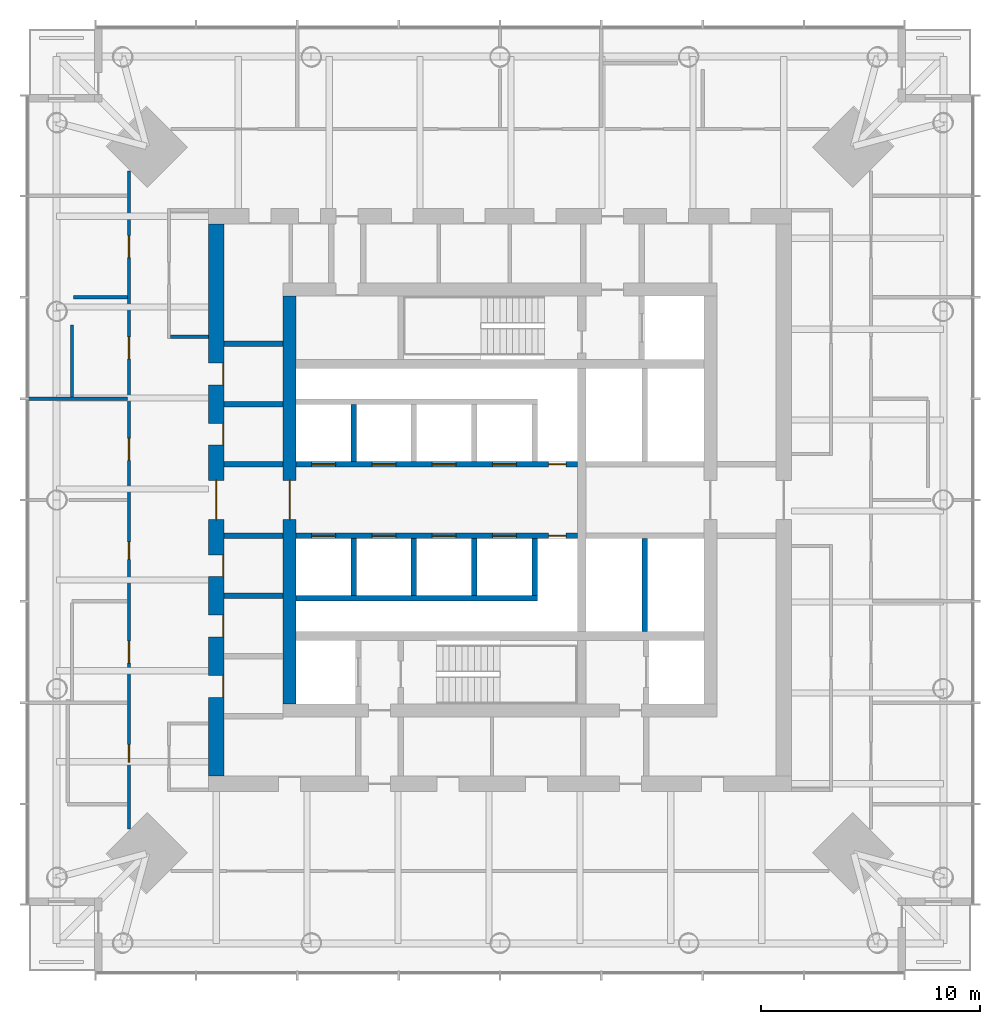
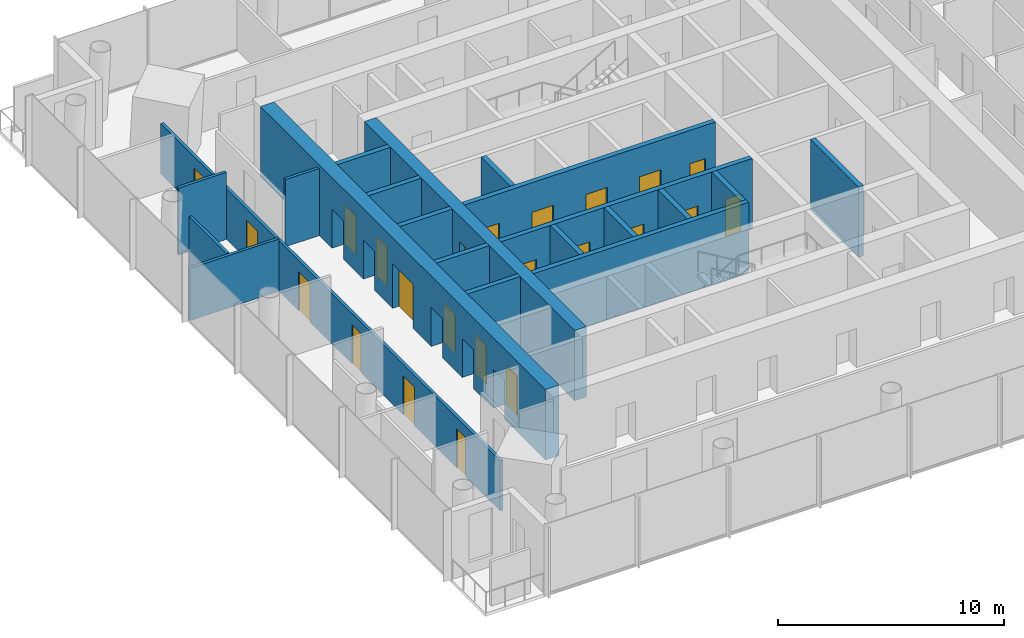
# One storey, part 5 of 9: 23 doors, 21 walls, 23 openings.
"""IFC4 building model written with IfcOpenShell, lengths in metres."""

from ifc_helpers import new_model, si_unit, direction, frame, frame_2d, origin, place, context, subcontext, project, spatial, rectangle, extrude, material, layer, layer_set, type_object, element, fill, save


model = new_model("IFC4")

# Units and contexts
model_context = context("Model", 3, precision=1e-05, world=origin(), true_north=direction((0.0, 1.0)))
body_context = subcontext(model_context, "Body", "Model", "MODEL_VIEW")
ifc_project = project(units=[si_unit("LENGTHUNIT", "METRE"), si_unit("AREAUNIT", "SQUARE_METRE"), si_unit("VOLUMEUNIT", "CUBIC_METRE"), si_unit("PLANEANGLEUNIT", "RADIAN"), si_unit("MASSUNIT", "GRAM", prefix="KILO")], contexts=[model_context])

# Site, building, storey
site_placement = place(None, origin())
site = spatial("IfcSite", under=ifc_project, at=site_placement, CompositionType="ELEMENT")
building_placement = place(site_placement, origin())
building = spatial("IfcBuilding", under=site, at=building_placement, Name="Ostroluk Exchange", CompositionType="ELEMENT")
storey_placement = place(building_placement, frame((0.0, 0.0, 138.800048828125)))
storey = spatial("IfcBuildingStorey", under=building, at=storey_placement, Name="L35", CompositionType="ELEMENT", Elevation=138.800048828125)

# Wall
ifc_material_1 = material(Name="Concrete C40/50", Category="concrete")
ifc_layer_1 = layer(ifc_material_1, 0.25)
ifc_layer_set_1 = layer_set([ifc_layer_1], Name="Core shaft wall 250")
wall_type_1 = type_object("IfcWallType", Name="Core shaft wall 250", PredefinedType="SHEAR", material=ifc_layer_set_1)
wall_1_placement = place(storey_placement, frame((38.324951171875, 47.75, 0.0), z_axis=(0.0, 0.0, 1.0), x_axis=(0.0, 1.0, 0.0)))
element("IfcWall", 1, at=wall_1_placement, inside=storey, type_object=wall_type_1, Name="Lift shaft wall", PredefinedType="SHEAR", context=body_context, shape_type="SweptSolid", body=[
    extrude(rectangle(XDim=2.60009765625, YDim=0.25, at=frame_2d((1.300048828125, 0.0))), origin(), (0.0, 0.0, 1.0), 3.800048828125),
])

# Wall, openings, doors
wall_2_placement = place(storey_placement, frame((35.699951171875, 47.625, 0.0), z_axis=(0.0, 0.0, 1.0), x_axis=(1.0, 0.0, 0.0)))
wall_2 = element("IfcWall", 2, at=wall_2_placement, inside=storey, type_object=wall_type_1, Name="Lift shaft front wall", PredefinedType="SHEAR", context=body_context, shape_type="SweptSolid", body=[
    extrude(rectangle(XDim=12.830078125, YDim=0.25, at=frame_2d((6.4150390625, 0.0))), origin(), (0.0, 0.0, 1.0), 3.800048828125),
])
opening_1_placement = place(wall_2_placement, frame((0.699951171875, 0.0, 0.0)))
opening_1 = element("IfcOpeningElement", 3, at=opening_1_placement, cuts=wall_2, Name="Opening LD", PredefinedType="OPENING", context=body_context, shape_type="SweptSolid", body=[
    extrude(rectangle(XDim=1.10009765625, YDim=2.199951171875, at=frame_2d((0.550048828125, 1.10009765625))), frame((0.0, 0.135009765625, 0.0), z_axis=(0.0, -1.0, 0.0), x_axis=(1.0, 0.0, 0.0)), (0.0, 0.0, 1.0), 0.27001953125),
])
opening_2_placement = place(wall_2_placement, frame((3.449951171875, 0.0, 0.0)))
opening_2 = element("IfcOpeningElement", 4, at=opening_2_placement, cuts=wall_2, Name="Opening LD", PredefinedType="OPENING", context=body_context, shape_type="SweptSolid", body=[
    extrude(rectangle(XDim=1.10009765625, YDim=2.199951171875, at=frame_2d((0.550048828125, 1.10009765625))), frame((0.0, 0.135009765625, 0.0), z_axis=(0.0, -1.0, 0.0), x_axis=(1.0, 0.0, 0.0)), (0.0, 0.0, 1.0), 0.27001953125),
])
opening_3_placement = place(wall_2_placement, frame((6.199951171875, 0.0, 0.0)))
opening_3 = element("IfcOpeningElement", 5, at=opening_3_placement, cuts=wall_2, Name="Opening LD", PredefinedType="OPENING", context=body_context, shape_type="SweptSolid", body=[
    extrude(rectangle(XDim=1.10009765625, YDim=2.199951171875, at=frame_2d((0.550048828125, 1.10009765625))), frame((0.0, 0.135009765625, 0.0), z_axis=(0.0, -1.0, 0.0), x_axis=(1.0, 0.0, 0.0)), (0.0, 0.0, 1.0), 0.27001953125),
])
opening_4_placement = place(wall_2_placement, frame((8.949951171875, 0.0, 0.0)))
opening_4 = element("IfcOpeningElement", 6, at=opening_4_placement, cuts=wall_2, Name="Opening LD", PredefinedType="OPENING", context=body_context, shape_type="SweptSolid", body=[
    extrude(rectangle(XDim=1.10009765625, YDim=2.199951171875, at=frame_2d((0.550048828125, 1.10009765625))), frame((0.0, 0.135009765625, 0.0), z_axis=(0.0, -1.0, 0.0), x_axis=(1.0, 0.0, 0.0)), (0.0, 0.0, 1.0), 0.27001953125),
])
opening_5_placement = place(wall_2_placement, frame((11.514892578125, 0.0, 0.0)))
opening_5 = element("IfcOpeningElement", 7, at=opening_5_placement, cuts=wall_2, Name="Opening RD60", PredefinedType="OPENING", context=body_context, shape_type="SweptSolid", body=[
    extrude(rectangle(XDim=0.800048828125, YDim=2.0, at=frame_2d((0.39990234375, 1.0))), frame((0.0, 0.135009765625, 0.0), z_axis=(0.0, -1.0, 0.0), x_axis=(1.0, 0.0, 0.0)), (0.0, 0.0, 1.0), 0.27001953125),
])
ifc_material_2 = material(Name="Stainless steel", Category="steel")
door_type_1 = type_object("IfcDoorType", Name="Lift landing door E 60 1100 x 2200", OperationType="DOUBLE_DOOR_SLIDING", PredefinedType="DOOR", material=ifc_material_2)
door_1_placement = place(opening_1_placement, origin())
door_1 = element("IfcDoor", 8, at=door_1_placement, inside=storey, type_object=door_type_1, Name="Lift PL-M1 landing door", OperationType="DOUBLE_DOOR_SLIDING", OverallHeight=2.199951171875, OverallWidth=1.10009765625, PredefinedType="DOOR", context=body_context, shape_type="SweptSolid", body=[
    extrude(rectangle(XDim=1.10009765625, YDim=2.199951171875, at=frame_2d((0.550048828125, 1.10009765625))), frame((0.0, 0.02490234375, 0.0), z_axis=(0.0, -1.0, 0.0), x_axis=(1.0, 0.0, 0.0)), (0.0, 0.0, 1.0), 0.050048828125),
])
fill(opening_1, door_1)
door_2_placement = place(opening_2_placement, origin())
door_2 = element("IfcDoor", 9, at=door_2_placement, inside=storey, type_object=door_type_1, Name="Lift PL-M2 landing door", OperationType="DOUBLE_DOOR_SLIDING", OverallHeight=2.199951171875, OverallWidth=1.10009765625, PredefinedType="DOOR", context=body_context, shape_type="SweptSolid", body=[
    extrude(rectangle(XDim=1.10009765625, YDim=2.199951171875, at=frame_2d((0.550048828125, 1.10009765625))), frame((0.0, 0.02490234375, 0.0), z_axis=(0.0, -1.0, 0.0), x_axis=(1.0, 0.0, 0.0)), (0.0, 0.0, 1.0), 0.050048828125),
])
fill(opening_2, door_2)
door_3_placement = place(opening_3_placement, origin())
door_3 = element("IfcDoor", 10, at=door_3_placement, inside=storey, type_object=door_type_1, Name="Lift PL-M3 landing door", OperationType="DOUBLE_DOOR_SLIDING", OverallHeight=2.199951171875, OverallWidth=1.10009765625, PredefinedType="DOOR", context=body_context, shape_type="SweptSolid", body=[
    extrude(rectangle(XDim=1.10009765625, YDim=2.199951171875, at=frame_2d((0.550048828125, 1.10009765625))), frame((0.0, 0.02490234375, 0.0), z_axis=(0.0, -1.0, 0.0), x_axis=(1.0, 0.0, 0.0)), (0.0, 0.0, 1.0), 0.050048828125),
])
fill(opening_3, door_3)
door_4_placement = place(opening_4_placement, origin())
door_4 = element("IfcDoor", 11, at=door_4_placement, inside=storey, type_object=door_type_1, Name="Lift PL-M4 landing door", OperationType="DOUBLE_DOOR_SLIDING", OverallHeight=2.199951171875, OverallWidth=1.10009765625, PredefinedType="DOOR", context=body_context, shape_type="SweptSolid", body=[
    extrude(rectangle(XDim=1.10009765625, YDim=2.199951171875, at=frame_2d((0.550048828125, 1.10009765625))), frame((0.0, 0.02490234375, 0.0), z_axis=(0.0, -1.0, 0.0), x_axis=(1.0, 0.0, 0.0)), (0.0, 0.0, 1.0), 0.050048828125),
])
fill(opening_4, door_4)
ifc_material_3 = material(Name="Steel", Category="steel")
door_type_2 = type_object("IfcDoorType", Name="Riser access door EI 60 800 x 2000", OperationType="SINGLE_SWING_LEFT", PredefinedType="DOOR", material=ifc_material_3)
door_5_placement = place(opening_5_placement, origin())
door_5 = element("IfcDoor", 12, at=door_5_placement, inside=storey, type_object=door_type_2, Name="Riser access door", OperationType="SINGLE_SWING_RIGHT", OverallHeight=2.0, OverallWidth=0.800048828125, PredefinedType="DOOR", context=body_context, shape_type="SweptSolid", body=[
    extrude(rectangle(XDim=0.800048828125, YDim=2.0, at=frame_2d((0.39990234375, 1.0))), frame((0.0, 0.02490234375, 0.0), z_axis=(0.0, -1.0, 0.0), x_axis=(1.0, 0.0, 0.0)), (0.0, 0.0, 1.0), 0.050048828125),
])
fill(opening_5, door_5)

# Walls
for number, where, z_axis, x_axis, name in (
    (13, (38.324951171875, 44.25, 0.0), (0.0, 0.0, 1.0), (0.0, -1.0, 0.0), "Lift shaft wall"),
    (14, (41.074951171875, 44.25, 0.0), (0.0, 0.0, 1.0), (0.0, -1.0, 0.0), "Lift shaft wall"),
    (15, (43.824951171875, 44.25, 0.0), (0.0, 0.0, 1.0), (0.0, -1.0, 0.0), "Lift shaft wall"),
    (16, (46.574951171875, 44.25, 0.0), (0.0, 0.0, 1.0), (0.0, -1.0, 0.0), "Lift shaft wall"),
):
    element("IfcWall", number, at=place(storey_placement, frame(where, z_axis=z_axis, x_axis=x_axis)), inside=storey, type_object=wall_type_1, Name=name, PredefinedType="SHEAR", context=body_context, shape_type="SweptSolid", body=[
        extrude(rectangle(XDim=2.60009765625, YDim=0.25, at=frame_2d((1.300048828125, 0.0))), origin(), (0.0, 0.0, 1.0), 3.800048828125),
    ])
wall_3_placement = place(storey_placement, frame((35.699951171875, 41.52490234375, 0.0), z_axis=(0.0, 0.0, 1.0), x_axis=(1.0, 0.0, 0.0)))
element("IfcWall", 17, at=wall_3_placement, inside=storey, type_object=wall_type_1, Name="Lift shaft wall", PredefinedType="SHEAR", context=body_context, shape_type="SweptSolid", body=[
    extrude(rectangle(XDim=11.0, YDim=0.25, at=frame_2d((5.5, 0.0))), origin(), (0.0, 0.0, 1.0), 3.800048828125),
])

# Wall, openings, doors
wall_4_placement = place(storey_placement, frame((35.699951171875, 44.375, 0.0), z_axis=(0.0, 0.0, 1.0), x_axis=(1.0, 0.0, 0.0)))
wall_4 = element("IfcWall", 18, at=wall_4_placement, inside=storey, type_object=wall_type_1, Name="Lift shaft front wall", PredefinedType="SHEAR", context=body_context, shape_type="SweptSolid", body=[
    extrude(rectangle(XDim=12.830078125, YDim=0.25, at=frame_2d((6.4150390625, 0.0))), origin(), (0.0, 0.0, 1.0), 3.800048828125),
])
opening_6_placement = place(wall_4_placement, frame((0.699951171875, 0.0, 0.0)))
opening_6 = element("IfcOpeningElement", 19, at=opening_6_placement, cuts=wall_4, Name="Opening LD", PredefinedType="OPENING", context=body_context, shape_type="SweptSolid", body=[
    extrude(rectangle(XDim=1.10009765625, YDim=2.199951171875, at=frame_2d((0.550048828125, 1.10009765625))), frame((0.0, 0.135009765625, 0.0), z_axis=(0.0, -1.0, 0.0), x_axis=(1.0, 0.0, 0.0)), (0.0, 0.0, 1.0), 0.27001953125),
])
opening_7_placement = place(wall_4_placement, frame((3.449951171875, 0.0, 0.0)))
opening_7 = element("IfcOpeningElement", 20, at=opening_7_placement, cuts=wall_4, Name="Opening LD", PredefinedType="OPENING", context=body_context, shape_type="SweptSolid", body=[
    extrude(rectangle(XDim=1.10009765625, YDim=2.199951171875, at=frame_2d((0.550048828125, 1.10009765625))), frame((0.0, 0.135009765625, 0.0), z_axis=(0.0, -1.0, 0.0), x_axis=(1.0, 0.0, 0.0)), (0.0, 0.0, 1.0), 0.27001953125),
])
opening_8_placement = place(wall_4_placement, frame((6.199951171875, 0.0, 0.0)))
opening_8 = element("IfcOpeningElement", 21, at=opening_8_placement, cuts=wall_4, Name="Opening LD", PredefinedType="OPENING", context=body_context, shape_type="SweptSolid", body=[
    extrude(rectangle(XDim=1.10009765625, YDim=2.199951171875, at=frame_2d((0.550048828125, 1.10009765625))), frame((0.0, 0.135009765625, 0.0), z_axis=(0.0, -1.0, 0.0), x_axis=(1.0, 0.0, 0.0)), (0.0, 0.0, 1.0), 0.27001953125),
])
opening_9_placement = place(wall_4_placement, frame((8.949951171875, 0.0, 0.0)))
opening_9 = element("IfcOpeningElement", 22, at=opening_9_placement, cuts=wall_4, Name="Opening LD", PredefinedType="OPENING", context=body_context, shape_type="SweptSolid", body=[
    extrude(rectangle(XDim=1.10009765625, YDim=2.199951171875, at=frame_2d((0.550048828125, 1.10009765625))), frame((0.0, 0.135009765625, 0.0), z_axis=(0.0, -1.0, 0.0), x_axis=(1.0, 0.0, 0.0)), (0.0, 0.0, 1.0), 0.27001953125),
])
opening_10_placement = place(wall_4_placement, frame((11.514892578125, 0.0, 0.0)))
opening_10 = element("IfcOpeningElement", 23, at=opening_10_placement, cuts=wall_4, Name="Opening RD60", PredefinedType="OPENING", context=body_context, shape_type="SweptSolid", body=[
    extrude(rectangle(XDim=0.800048828125, YDim=2.0, at=frame_2d((0.39990234375, 1.0))), frame((0.0, 0.135009765625, 0.0), z_axis=(0.0, -1.0, 0.0), x_axis=(1.0, 0.0, 0.0)), (0.0, 0.0, 1.0), 0.27001953125),
])
door_6_placement = place(opening_6_placement, origin())
door_6 = element("IfcDoor", 24, at=door_6_placement, inside=storey, type_object=door_type_1, Name="Lift PL-M5 landing door", OperationType="DOUBLE_DOOR_SLIDING", OverallHeight=2.199951171875, OverallWidth=1.10009765625, PredefinedType="DOOR", context=body_context, shape_type="SweptSolid", body=[
    extrude(rectangle(XDim=1.10009765625, YDim=2.199951171875, at=frame_2d((0.550048828125, 1.10009765625))), frame((0.0, 0.02490234375, 0.0), z_axis=(0.0, -1.0, 0.0), x_axis=(1.0, 0.0, 0.0)), (0.0, 0.0, 1.0), 0.050048828125),
])
fill(opening_6, door_6)
door_7_placement = place(opening_7_placement, origin())
door_7 = element("IfcDoor", 25, at=door_7_placement, inside=storey, type_object=door_type_1, Name="Lift PL-M6 landing door", OperationType="DOUBLE_DOOR_SLIDING", OverallHeight=2.199951171875, OverallWidth=1.10009765625, PredefinedType="DOOR", context=body_context, shape_type="SweptSolid", body=[
    extrude(rectangle(XDim=1.10009765625, YDim=2.199951171875, at=frame_2d((0.550048828125, 1.10009765625))), frame((0.0, 0.02490234375, 0.0), z_axis=(0.0, -1.0, 0.0), x_axis=(1.0, 0.0, 0.0)), (0.0, 0.0, 1.0), 0.050048828125),
])
fill(opening_7, door_7)
door_8_placement = place(opening_8_placement, origin())
door_8 = element("IfcDoor", 26, at=door_8_placement, inside=storey, type_object=door_type_1, Name="Lift PL-M7 landing door", OperationType="DOUBLE_DOOR_SLIDING", OverallHeight=2.199951171875, OverallWidth=1.10009765625, PredefinedType="DOOR", context=body_context, shape_type="SweptSolid", body=[
    extrude(rectangle(XDim=1.10009765625, YDim=2.199951171875, at=frame_2d((0.550048828125, 1.10009765625))), frame((0.0, 0.02490234375, 0.0), z_axis=(0.0, -1.0, 0.0), x_axis=(1.0, 0.0, 0.0)), (0.0, 0.0, 1.0), 0.050048828125),
])
fill(opening_8, door_8)
door_9_placement = place(opening_9_placement, origin())
door_9 = element("IfcDoor", 27, at=door_9_placement, inside=storey, type_object=door_type_1, Name="Lift PL-M8 landing door", OperationType="DOUBLE_DOOR_SLIDING", OverallHeight=2.199951171875, OverallWidth=1.10009765625, PredefinedType="DOOR", context=body_context, shape_type="SweptSolid", body=[
    extrude(rectangle(XDim=1.10009765625, YDim=2.199951171875, at=frame_2d((0.550048828125, 1.10009765625))), frame((0.0, 0.02490234375, 0.0), z_axis=(0.0, -1.0, 0.0), x_axis=(1.0, 0.0, 0.0)), (0.0, 0.0, 1.0), 0.050048828125),
])
fill(opening_9, door_9)
door_10_placement = place(opening_10_placement, origin())
door_10 = element("IfcDoor", 28, at=door_10_placement, inside=storey, type_object=door_type_2, Name="Riser access door", OperationType="SINGLE_SWING_RIGHT", OverallHeight=2.0, OverallWidth=0.800048828125, PredefinedType="DOOR", context=body_context, shape_type="SweptSolid", body=[
    extrude(rectangle(XDim=0.800048828125, YDim=2.0, at=frame_2d((0.39990234375, 1.0))), frame((0.0, 0.02490234375, 0.0), z_axis=(0.0, -1.0, 0.0), x_axis=(1.0, 0.0, 0.0)), (0.0, 0.0, 1.0), 0.050048828125),
])
fill(opening_10, door_10)

# Walls
wall_5_placement = place(storey_placement, frame((51.614990234375, 44.25, 0.0), z_axis=(0.0, 0.0, 1.0), x_axis=(0.0, -1.0, 0.0)))
element("IfcWall", 29, at=wall_5_placement, inside=storey, type_object=wall_type_1, Name="Lift shaft wall", PredefinedType="SHEAR", context=body_context, shape_type="SweptSolid", body=[
    extrude(rectangle(XDim=4.25, YDim=0.25, at=frame_2d((2.125, 0.0))), origin(), (0.0, 0.0, 1.0), 3.800048828125),
])
for number, where, z_axis, x_axis, name in (
    (30, (32.39990234375, 41.625, 0.0), (0.0, 0.0, 1.0), (1.0, 0.0, 0.0), "Lift shaft wall"),
    (31, (32.39990234375, 44.375, 0.0), (0.0, 0.0, 1.0), (1.0, 0.0, 0.0), "Lift shaft wall"),
    (32, (32.39990234375, 47.625, 0.0), (0.0, 0.0, 1.0), (1.0, 0.0, 0.0), "Lift shaft wall"),
    (33, (32.39990234375, 50.375, 0.0), (0.0, 0.0, 1.0), (1.0, 0.0, 0.0), "Lift shaft wall"),
    (34, (32.39990234375, 53.125, 0.0), (0.0, 0.0, 1.0), (1.0, 0.0, 0.0), "Lift shaft wall"),
):
    element("IfcWall", number, at=place(storey_placement, frame(where, z_axis=z_axis, x_axis=x_axis)), inside=storey, type_object=wall_type_1, Name=name, PredefinedType="SHEAR", context=body_context, shape_type="SweptSolid", body=[
        extrude(rectangle(XDim=2.7001953125, YDim=0.25, at=frame_2d((1.35009765625, 0.0))), origin(), (0.0, 0.0, 1.0), 3.800048828125),
    ])

# Wall, opening, door
ifc_material_4 = material(Name="Concrete C50/60", Category="concrete")
ifc_layer_2 = layer(ifc_material_4, 0.60009765625)
ifc_layer_set_2 = layer_set([ifc_layer_2], Name="Core wall 600 C50/60")
wall_type_2 = type_object("IfcWallType", Name="Core wall 600 C50/60", PredefinedType="SHEAR", material=ifc_layer_set_2)
wall_6_placement = place(storey_placement, frame((35.39990234375, 36.699951171875, 0.0), z_axis=(0.0, 0.0, 1.0), x_axis=(0.0, 1.0, 0.0)))
wall_6 = element("IfcWall", 35, at=wall_6_placement, inside=storey, type_object=wall_type_2, Name="T1 core wall W", PredefinedType="SHEAR", context=body_context, shape_type="SweptSolid", body=[
    extrude(rectangle(XDim=18.60009765625, YDim=0.60009765625, at=frame_2d((9.300048828125, 0.0))), origin(), (0.0, 0.0, 1.0), 3.800048828125),
])
opening_11_placement = place(wall_6_placement, frame((8.39990234375, 0.0, 0.0)))
opening_11 = element("IfcOpeningElement", 36, at=opening_11_placement, cuts=wall_6, Name="Opening FD30D", PredefinedType="OPENING", context=body_context, shape_type="SweptSolid", body=[
    extrude(rectangle(XDim=1.800048828125, YDim=2.39990234375, at=frame_2d((0.89990234375, 1.199951171875))), frame((0.0, 0.31005859375, 0.0), z_axis=(0.0, -1.0, 0.0), x_axis=(1.0, 0.0, 0.0)), (0.0, 0.0, 1.0), 0.6201171875),
])
ifc_material_5 = material(Name="Timber", Category="wood")
door_type_3 = type_object("IfcDoorType", Name="Lobby double door EI 30 1800 x 2400", OperationType="DOUBLE_DOOR_SINGLE_SWING", PredefinedType="DOOR", material=ifc_material_5)
door_11_placement = place(opening_11_placement, origin())
door_11 = element("IfcDoor", 37, at=door_11_placement, inside=storey, type_object=door_type_3, Name="Lift lobby doors", OperationType="DOUBLE_DOOR_SINGLE_SWING", OverallHeight=2.39990234375, OverallWidth=1.800048828125, PredefinedType="DOOR", context=body_context, shape_type="SweptSolid", body=[
    extrude(rectangle(XDim=1.800048828125, YDim=2.39990234375, at=frame_2d((0.89990234375, 1.199951171875))), frame((0.0, 0.02490234375, 0.0), z_axis=(0.0, -1.0, 0.0), x_axis=(1.0, 0.0, 0.0)), (0.0, 0.0, 1.0), 0.050048828125),
])
fill(opening_11, door_11)

# Wall, openings, doors
ifc_material_6 = material(Name="Concrete C50/60", Category="concrete")
ifc_layer_3 = layer(ifc_material_6, 0.699951171875)
ifc_layer_set_3 = layer_set([ifc_layer_3], Name="Core wall 700 C50/60")
wall_type_3 = type_object("IfcWallType", Name="Core wall 700 C50/60", PredefinedType="SHEAR", material=ifc_layer_set_3)
wall_7_placement = place(storey_placement, frame((32.050048828125, 33.39990234375, 0.0), z_axis=(0.0, 0.0, 1.0), x_axis=(0.0, 1.0, 0.0)))
wall_7 = element("IfcWall", 38, at=wall_7_placement, inside=storey, type_object=wall_type_3, Name="T1 core wall RW", PredefinedType="SHEAR", context=body_context, shape_type="SweptSolid", body=[
    extrude(rectangle(XDim=25.2001953125, YDim=0.699951171875, at=frame_2d((12.60009765625, 0.0))), origin(), (0.0, 0.0, 1.0), 3.800048828125),
])
opening_12_placement = place(wall_7_placement, frame((11.699951171875, 0.0, 0.0)))
opening_12 = element("IfcOpeningElement", 39, at=opening_12_placement, cuts=wall_7, Name="Opening FD30D", PredefinedType="OPENING", context=body_context, shape_type="SweptSolid", body=[
    extrude(rectangle(XDim=1.800048828125, YDim=2.39990234375, at=frame_2d((0.89990234375, 1.199951171875))), frame((0.0, 0.35986328125, 0.0), z_axis=(0.0, -1.0, 0.0), x_axis=(1.0, 0.0, 0.0)), (0.0, 0.0, 1.0), 0.719970703125),
])
opening_13_placement = place(wall_7_placement, frame((3.60009765625, 0.0, 0.0)))
opening_13 = element("IfcOpeningElement", 40, at=opening_13_placement, cuts=wall_7, Name="Opening FD60", PredefinedType="OPENING", context=body_context, shape_type="SweptSolid", body=[
    extrude(rectangle(XDim=1.0, YDim=2.10009765625, at=frame_2d((0.5, 1.050048828125))), frame((0.0, 0.35986328125, 0.0), z_axis=(0.0, -1.0, 0.0), x_axis=(1.0, 0.0, 0.0)), (0.0, 0.0, 1.0), 0.719970703125),
])
opening_14_placement = place(wall_7_placement, frame((6.35009765625, 0.0, 0.0)))
opening_14 = element("IfcOpeningElement", 41, at=opening_14_placement, cuts=wall_7, Name="Opening FD60", PredefinedType="OPENING", context=body_context, shape_type="SweptSolid", body=[
    extrude(rectangle(XDim=1.0, YDim=2.10009765625, at=frame_2d((0.5, 1.050048828125))), frame((0.0, 0.35986328125, 0.0), z_axis=(0.0, -1.0, 0.0), x_axis=(1.0, 0.0, 0.0)), (0.0, 0.0, 1.0), 0.719970703125),
])
opening_15_placement = place(wall_7_placement, frame((9.10009765625, 0.0, 0.0)))
opening_15 = element("IfcOpeningElement", 42, at=opening_15_placement, cuts=wall_7, Name="Opening FD60", PredefinedType="OPENING", context=body_context, shape_type="SweptSolid", body=[
    extrude(rectangle(XDim=1.0, YDim=2.10009765625, at=frame_2d((0.5, 1.050048828125))), frame((0.0, 0.35986328125, 0.0), z_axis=(0.0, -1.0, 0.0), x_axis=(1.0, 0.0, 0.0)), (0.0, 0.0, 1.0), 0.719970703125),
])
opening_16_placement = place(wall_7_placement, frame((15.10009765625, 0.0, 0.0)))
opening_16 = element("IfcOpeningElement", 43, at=opening_16_placement, cuts=wall_7, Name="Opening FD60", PredefinedType="OPENING", context=body_context, shape_type="SweptSolid", body=[
    extrude(rectangle(XDim=1.0, YDim=2.10009765625, at=frame_2d((0.5, 1.050048828125))), frame((0.0, 0.35986328125, 0.0), z_axis=(0.0, -1.0, 0.0), x_axis=(1.0, 0.0, 0.0)), (0.0, 0.0, 1.0), 0.719970703125),
])
opening_17_placement = place(wall_7_placement, frame((17.85009765625, 0.0, 0.0)))
opening_17 = element("IfcOpeningElement", 44, at=opening_17_placement, cuts=wall_7, Name="Opening FD60", PredefinedType="OPENING", context=body_context, shape_type="SweptSolid", body=[
    extrude(rectangle(XDim=1.0, YDim=2.10009765625, at=frame_2d((0.5, 1.050048828125))), frame((0.0, 0.35986328125, 0.0), z_axis=(0.0, -1.0, 0.0), x_axis=(1.0, 0.0, 0.0)), (0.0, 0.0, 1.0), 0.719970703125),
])
ifc_material_7 = material(Name="Steel", Category="steel")
door_type_4 = type_object("IfcDoorType", Name="Fire door EI 60 1000 x 2100", OperationType="SINGLE_SWING_LEFT", PredefinedType="DOOR", material=ifc_material_7)
door_12_placement = place(opening_13_placement, origin())
door_12 = element("IfcDoor", 45, at=door_12_placement, inside=storey, type_object=door_type_4, Name="Store door", OperationType="SINGLE_SWING_LEFT", OverallHeight=2.10009765625, OverallWidth=1.0, PredefinedType="DOOR", context=body_context, shape_type="SweptSolid", body=[
    extrude(rectangle(XDim=1.0, YDim=2.10009765625, at=frame_2d((0.5, 1.050048828125))), frame((0.0, -0.2900390625, 0.0), z_axis=(0.0, -1.0, 0.0), x_axis=(1.0, 0.0, 0.0)), (0.0, 0.0, 1.0), 0.050048828125),
])
fill(opening_13, door_12)
door_13_placement = place(opening_14_placement, origin())
door_13 = element("IfcDoor", 46, at=door_13_placement, inside=storey, type_object=door_type_4, Name="Cleaner's store door", OperationType="SINGLE_SWING_LEFT", OverallHeight=2.10009765625, OverallWidth=1.0, PredefinedType="DOOR", context=body_context, shape_type="SweptSolid", body=[
    extrude(rectangle(XDim=1.0, YDim=2.10009765625, at=frame_2d((0.5, 1.050048828125))), frame((0.0, -0.2900390625, 0.0), z_axis=(0.0, -1.0, 0.0), x_axis=(1.0, 0.0, 0.0)), (0.0, 0.0, 1.0), 0.050048828125),
])
fill(opening_14, door_13)
door_14_placement = place(opening_15_placement, origin())
door_14 = element("IfcDoor", 47, at=door_14_placement, inside=storey, type_object=door_type_4, Name="Store door", OperationType="SINGLE_SWING_LEFT", OverallHeight=2.10009765625, OverallWidth=1.0, PredefinedType="DOOR", context=body_context, shape_type="SweptSolid", body=[
    extrude(rectangle(XDim=1.0, YDim=2.10009765625, at=frame_2d((0.5, 1.050048828125))), frame((0.0, -0.2900390625, 0.0), z_axis=(0.0, -1.0, 0.0), x_axis=(1.0, 0.0, 0.0)), (0.0, 0.0, 1.0), 0.050048828125),
])
fill(opening_15, door_14)
door_15_placement = place(opening_16_placement, origin())
door_15 = element("IfcDoor", 48, at=door_15_placement, inside=storey, type_object=door_type_4, Name="Cleaner's store door", OperationType="SINGLE_SWING_RIGHT", OverallHeight=2.10009765625, OverallWidth=1.0, PredefinedType="DOOR", context=body_context, shape_type="SweptSolid", body=[
    extrude(rectangle(XDim=1.0, YDim=2.10009765625, at=frame_2d((0.5, 1.050048828125))), frame((0.0, -0.2900390625, 0.0), z_axis=(0.0, -1.0, 0.0), x_axis=(1.0, 0.0, 0.0)), (0.0, 0.0, 1.0), 0.050048828125),
])
fill(opening_16, door_15)
door_16_placement = place(opening_17_placement, origin())
door_16 = element("IfcDoor", 49, at=door_16_placement, inside=storey, type_object=door_type_4, Name="Store door", OperationType="SINGLE_SWING_RIGHT", OverallHeight=2.10009765625, OverallWidth=1.0, PredefinedType="DOOR", context=body_context, shape_type="SweptSolid", body=[
    extrude(rectangle(XDim=1.0, YDim=2.10009765625, at=frame_2d((0.5, 1.050048828125))), frame((0.0, -0.2900390625, 0.0), z_axis=(0.0, -1.0, 0.0), x_axis=(1.0, 0.0, 0.0)), (0.0, 0.0, 1.0), 0.050048828125),
])
fill(opening_17, door_16)
door_17_placement = place(opening_12_placement, origin())
door_17 = element("IfcDoor", 50, at=door_17_placement, inside=storey, type_object=door_type_3, Name="Lift lobby doors", OperationType="DOUBLE_DOOR_SINGLE_SWING", OverallHeight=2.39990234375, OverallWidth=1.800048828125, PredefinedType="DOOR", context=body_context, shape_type="SweptSolid", body=[
    extrude(rectangle(XDim=1.800048828125, YDim=2.39990234375, at=frame_2d((0.89990234375, 1.199951171875))), frame((0.0, 0.02490234375, 0.0), z_axis=(0.0, -1.0, 0.0), x_axis=(1.0, 0.0, 0.0)), (0.0, 0.0, 1.0), 0.050048828125),
])
fill(opening_12, door_17)

# Walls
ifc_material_8 = material(Name="Gypsum plasterboard partition", Category="gypsum")
ifc_layer_4 = layer(ifc_material_8, 0.14990234375)
ifc_layer_set_4 = layer_set([ifc_layer_4], Name="Plasterboard partition 150")
wall_type_4 = type_object("IfcWallType", Name="Plasterboard partition 150", PredefinedType="PARTITIONING", material=ifc_layer_set_4)
wall_8_placement = place(storey_placement, frame((31.699951171875, 53.449951171875, 0.0), z_axis=(0.0, 0.0, 1.0), x_axis=(-1.0, 0.0, 0.0)))
element("IfcWall", 51, at=wall_8_placement, inside=storey, type_object=wall_type_4, Name="Partition", PredefinedType="PARTITIONING", context=body_context, shape_type="SweptSolid", body=[
    extrude(rectangle(XDim=1.724853515625, YDim=0.14990234375, at=frame_2d((0.8623046875, 0.0))), origin(), (0.0, 0.0, 1.0), 3.619873046875),
])
wall_9_placement = place(storey_placement, frame((25.47509765625, 53.98974609375, 0.0), z_axis=(0.0, 0.0, 1.0), x_axis=(0.0, -1.0, 0.0)))
element("IfcWall", 52, at=wall_9_placement, inside=storey, type_object=wall_type_4, Name="Partition", PredefinedType="PARTITIONING", context=body_context, shape_type="SweptSolid", body=[
    extrude(rectangle(XDim=3.289794921875, YDim=0.14990234375, at=frame_2d((1.64501953125, 0.0))), origin(), (0.0, 0.0, 1.0), 2.85791015625),
])

# Wall, openings, doors
wall_10_placement = place(storey_placement, frame((28.074951171875, 61.011474609375, 0.0), z_axis=(0.0, 0.0, 1.0), x_axis=(0.0, -1.0, 0.0)))
wall_10 = element("IfcWall", 53, at=wall_10_placement, inside=storey, type_object=wall_type_4, Name="Partition", PredefinedType="PARTITIONING", context=body_context, shape_type="SweptSolid", body=[
    extrude(rectangle(XDim=30.02294921875, YDim=0.14990234375, at=frame_2d((15.011474609375, 0.0))), origin(), (0.0, 0.0, 1.0), 2.719970703125),
])
opening_18_placement = place(wall_10_placement, frame((2.948974609375, 0.0, 0.0)))
opening_18 = element("IfcOpeningElement", 54, at=opening_18_placement, cuts=wall_10, Name="Opening D-03", PredefinedType="OPENING", context=body_context, shape_type="SweptSolid", body=[
    extrude(rectangle(XDim=1.0, YDim=2.10009765625, at=frame_2d((0.5, 1.050048828125))), frame((0.0, 0.0849609375, 0.0), z_axis=(0.0, -1.0, 0.0), x_axis=(1.0, 0.0, 0.0)), (0.0, 0.0, 1.0), 0.169921875),
])
opening_19_placement = place(wall_10_placement, frame((7.573974609375, 0.0, 0.0)))
opening_19 = element("IfcOpeningElement", 55, at=opening_19_placement, cuts=wall_10, Name="Opening D-03", PredefinedType="OPENING", context=body_context, shape_type="SweptSolid", body=[
    extrude(rectangle(XDim=1.0, YDim=2.10009765625, at=frame_2d((0.5, 1.050048828125))), frame((0.0, 0.0849609375, 0.0), z_axis=(0.0, -1.0, 0.0), x_axis=(1.0, 0.0, 0.0)), (0.0, 0.0, 1.0), 0.169921875),
])
opening_20_placement = place(wall_10_placement, frame((12.198974609375, 0.0, 0.0)))
opening_20 = element("IfcOpeningElement", 56, at=opening_20_placement, cuts=wall_10, Name="Opening D-03", PredefinedType="OPENING", context=body_context, shape_type="SweptSolid", body=[
    extrude(rectangle(XDim=1.0, YDim=2.10009765625, at=frame_2d((0.5, 1.050048828125))), frame((0.0, 0.0849609375, 0.0), z_axis=(0.0, -1.0, 0.0), x_axis=(1.0, 0.0, 0.0)), (0.0, 0.0, 1.0), 0.169921875),
])
opening_21_placement = place(wall_10_placement, frame((16.924072265625, 0.0, 0.0)))
opening_21 = element("IfcOpeningElement", 57, at=opening_21_placement, cuts=wall_10, Name="Opening D-06", PredefinedType="OPENING", context=body_context, shape_type="SweptSolid", body=[
    extrude(rectangle(XDim=0.800048828125, YDim=2.10009765625, at=frame_2d((0.39990234375, 1.050048828125))), frame((0.0, 0.0849609375, 0.0), z_axis=(0.0, -1.0, 0.0), x_axis=(1.0, 0.0, 0.0)), (0.0, 0.0, 1.0), 0.169921875),
])
opening_22_placement = place(wall_10_placement, frame((21.448974609375, 0.0, 0.0)))
opening_22 = element("IfcOpeningElement", 58, at=opening_22_placement, cuts=wall_10, Name="Opening D-03", PredefinedType="OPENING", context=body_context, shape_type="SweptSolid", body=[
    extrude(rectangle(XDim=1.0, YDim=2.10009765625, at=frame_2d((0.5, 1.050048828125))), frame((0.0, 0.0849609375, 0.0), z_axis=(0.0, -1.0, 0.0), x_axis=(1.0, 0.0, 0.0)), (0.0, 0.0, 1.0), 0.169921875),
])
opening_23_placement = place(wall_10_placement, frame((26.174072265625, 0.0, 0.0)))
opening_23 = element("IfcOpeningElement", 59, at=opening_23_placement, cuts=wall_10, Name="Opening D-06", PredefinedType="OPENING", context=body_context, shape_type="SweptSolid", body=[
    extrude(rectangle(XDim=0.800048828125, YDim=2.10009765625, at=frame_2d((0.39990234375, 1.050048828125))), frame((0.0, 0.0849609375, 0.0), z_axis=(0.0, -1.0, 0.0), x_axis=(1.0, 0.0, 0.0)), (0.0, 0.0, 1.0), 0.169921875),
])
ifc_material_9 = material(Name="Timber", Category="wood")
door_type_5 = type_object("IfcDoorType", Name="Internal door 1000 x 2100", OperationType="SINGLE_SWING_LEFT", PredefinedType="DOOR", material=ifc_material_9)
door_18_placement = place(opening_18_placement, origin())
door_18 = element("IfcDoor", 60, at=door_18_placement, inside=storey, type_object=door_type_5, Name="Office door", OperationType="SINGLE_SWING_LEFT", OverallHeight=2.10009765625, OverallWidth=1.0, PredefinedType="DOOR", context=body_context, shape_type="SweptSolid", body=[
    extrude(rectangle(XDim=1.0, YDim=2.10009765625, at=frame_2d((0.5, 1.050048828125))), frame((0.0, 0.02490234375, 0.0), z_axis=(0.0, -1.0, 0.0), x_axis=(1.0, 0.0, 0.0)), (0.0, 0.0, 1.0), 0.050048828125),
])
fill(opening_18, door_18)
door_19_placement = place(opening_19_placement, origin())
door_19 = element("IfcDoor", 61, at=door_19_placement, inside=storey, type_object=door_type_5, Name="Pantry door", OperationType="SINGLE_SWING_LEFT", OverallHeight=2.10009765625, OverallWidth=1.0, PredefinedType="DOOR", context=body_context, shape_type="SweptSolid", body=[
    extrude(rectangle(XDim=1.0, YDim=2.10009765625, at=frame_2d((0.5, 1.050048828125))), frame((0.0, 0.02490234375, 0.0), z_axis=(0.0, -1.0, 0.0), x_axis=(1.0, 0.0, 0.0)), (0.0, 0.0, 1.0), 0.050048828125),
])
fill(opening_19, door_19)
door_20_placement = place(opening_20_placement, origin())
door_20 = element("IfcDoor", 62, at=door_20_placement, inside=storey, type_object=door_type_5, Name="Office door", OperationType="SINGLE_SWING_LEFT", OverallHeight=2.10009765625, OverallWidth=1.0, PredefinedType="DOOR", context=body_context, shape_type="SweptSolid", body=[
    extrude(rectangle(XDim=1.0, YDim=2.10009765625, at=frame_2d((0.5, 1.050048828125))), frame((0.0, 0.02490234375, 0.0), z_axis=(0.0, -1.0, 0.0), x_axis=(1.0, 0.0, 0.0)), (0.0, 0.0, 1.0), 0.050048828125),
])
fill(opening_20, door_20)
door_21_placement = place(opening_22_placement, origin())
door_21 = element("IfcDoor", 63, at=door_21_placement, inside=storey, type_object=door_type_5, Name="Accessible WC door", OperationType="SINGLE_SWING_RIGHT", OverallHeight=2.10009765625, OverallWidth=1.0, PredefinedType="DOOR", context=body_context, shape_type="SweptSolid", body=[
    extrude(rectangle(XDim=1.0, YDim=2.10009765625, at=frame_2d((0.5, 1.050048828125))), frame((0.0, 0.02490234375, 0.0), z_axis=(0.0, -1.0, 0.0), x_axis=(1.0, 0.0, 0.0)), (0.0, 0.0, 1.0), 0.050048828125),
])
fill(opening_22, door_21)
ifc_material_10 = material(Name="Timber", Category="wood")
door_type_6 = type_object("IfcDoorType", Name="Toilet door 800 x 2100", OperationType="SINGLE_SWING_LEFT", PredefinedType="DOOR", material=ifc_material_10)
door_22_placement = place(opening_21_placement, origin())
door_22 = element("IfcDoor", 64, at=door_22_placement, inside=storey, type_object=door_type_6, Name="WC female door", OperationType="SINGLE_SWING_RIGHT", OverallHeight=2.10009765625, OverallWidth=0.800048828125, PredefinedType="DOOR", context=body_context, shape_type="SweptSolid", body=[
    extrude(rectangle(XDim=0.800048828125, YDim=2.10009765625, at=frame_2d((0.39990234375, 1.050048828125))), frame((0.0, 0.02490234375, 0.0), z_axis=(0.0, -1.0, 0.0), x_axis=(1.0, 0.0, 0.0)), (0.0, 0.0, 1.0), 0.050048828125),
])
fill(opening_21, door_22)
door_23_placement = place(opening_23_placement, origin())
door_23 = element("IfcDoor", 65, at=door_23_placement, inside=storey, type_object=door_type_6, Name="WC male door", OperationType="SINGLE_SWING_RIGHT", OverallHeight=2.10009765625, OverallWidth=0.800048828125, PredefinedType="DOOR", context=body_context, shape_type="SweptSolid", body=[
    extrude(rectangle(XDim=0.800048828125, YDim=2.10009765625, at=frame_2d((0.39990234375, 1.050048828125))), frame((0.0, 0.02490234375, 0.0), z_axis=(0.0, -1.0, 0.0), x_axis=(1.0, 0.0, 0.0)), (0.0, 0.0, 1.0), 0.050048828125),
])
fill(opening_23, door_23)

# Walls
wall_11_placement = place(storey_placement, frame((28.0, 55.25, 0.0), z_axis=(0.0, 0.0, 1.0), x_axis=(-1.0, 0.0, 0.0)))
element("IfcWall", 66, at=wall_11_placement, inside=storey, type_object=wall_type_4, Name="Partition", PredefinedType="PARTITIONING", context=body_context, shape_type="SweptSolid", body=[
    extrude(rectangle(XDim=2.4560546875, YDim=0.14990234375, at=frame_2d((1.22802734375, 0.0))), origin(), (0.0, 0.0, 1.0), 3.619873046875),
])
wall_12_placement = place(storey_placement, frame((28.0, 50.625, 0.0), z_axis=(0.0, 0.0, 1.0), x_axis=(-1.0, 0.0, 0.0)))
element("IfcWall", 67, at=wall_12_placement, inside=storey, type_object=wall_type_4, Name="Partition", PredefinedType="PARTITIONING", context=body_context, shape_type="SweptSolid", body=[
    extrude(rectangle(XDim=4.5400390625, YDim=0.14990234375, at=frame_2d((2.27001953125, 0.0))), origin(), (0.0, 0.0, 1.0), 2.820068359375),
])

save(model, "model.ifc")
